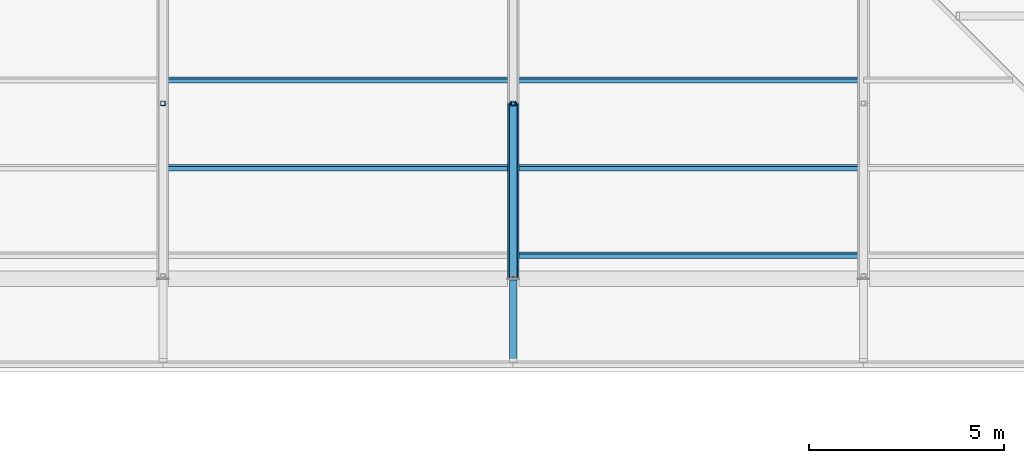
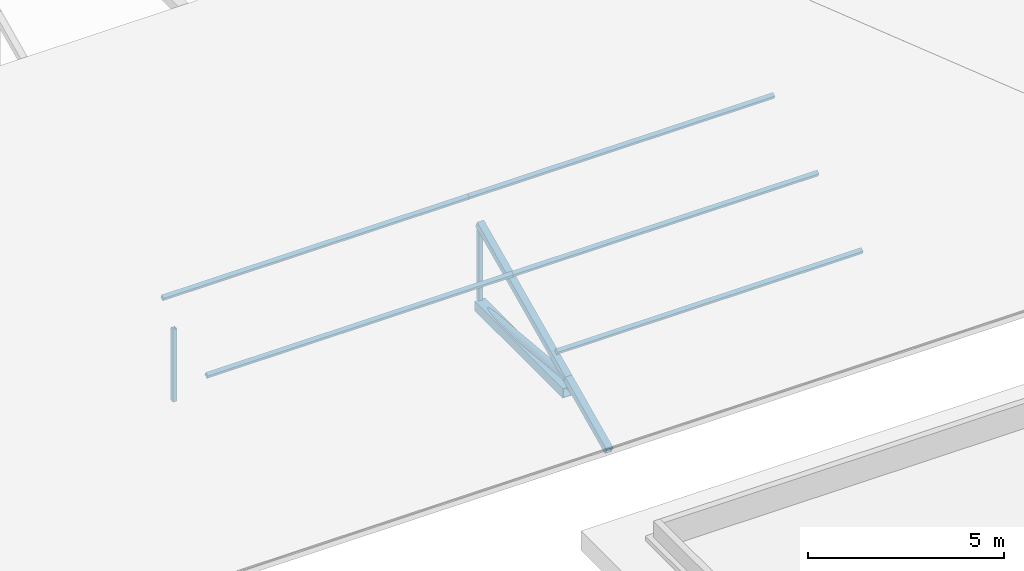
# One storey, part 61 of 154: 11 members.
"""IFC4 building model written with IfcOpenShell, lengths in metres."""

import ifcopenshell
import ifcopenshell.guid

model = None  # the IFC model being written
_history = None  # IfcOwnerHistory: only IFC2X3 demands one
_inside = {}  # id of a spatial element -> (the spatial element, [elements in it])
_under = {}  # id of a project, library or spatial element -> (it, [spatial elements below it])
_declared = {}  # id of a project -> (the project, [libraries it declares])
_typed = {}  # id of a type object -> (the type object, [elements of that type])
_made_of = {}  # id of a material, layer set ... -> (it, [elements and type objects made of it])


def new_model(schema):
    """Start an empty IFC model of exactly this schema.

    Asked for "IFC4X3", IfcOpenShell would pick the latest addendum, in which some entities
    have other attributes; the version numbers below select the first issue.
    IFC2X3 requires an IfcOwnerHistory on every rooted entity: one is made here for all.
    """
    global model, _history
    if schema == "IFC4X3":
        model = ifcopenshell.file(schema_version=(4, 3, 0, 0))
    else:
        model = ifcopenshell.file(schema=schema)
    _inside.clear()
    _under.clear()
    _declared.clear()
    _typed.clear()
    _made_of.clear()
    _history = None
    if model.schema == "IFC2X3":
        org = make("IfcOrganization", Name="unknown")
        user = make(
            "IfcPersonAndOrganization",
            ThePerson=make("IfcPerson", FamilyName="unknown"),
            TheOrganization=org,
        )
        app = make(
            "IfcApplication",
            ApplicationDeveloper=org,
            Version="unknown",
            ApplicationFullName="unknown",
            ApplicationIdentifier="unknown",
        )
        _history = make(
            "IfcOwnerHistory",
            OwningUser=user,
            OwningApplication=app,
            ChangeAction="ADDED",
            CreationDate=0,
        )
    return model


def make(cls, **values):
    """One entity of the class cls with the attributes given. An attribute that is None is left unset."""
    return model.create_entity(
        cls, **{name: value for name, value in values.items() if value is not None}
    )


def rooted(cls, **values):
    """An entity with a GlobalId (a new one), such as an element, a storey or a relation."""
    return make(cls, GlobalId=ifcopenshell.guid.new(), OwnerHistory=_history, **values)


def si_unit(unit_type, name, prefix=None):
    """IfcSIUnit, for example si_unit("LENGTHUNIT", "METRE", prefix="MILLI")."""
    return make("IfcSIUnit", UnitType=unit_type, Prefix=prefix, Name=name)


def assignment(units):
    """IfcUnitAssignment: the units of a project."""
    return None if units is None else make("IfcUnitAssignment", Units=units)


def point(xyz):
    """IfcCartesianPoint."""
    return None if xyz is None else make("IfcCartesianPoint", Coordinates=xyz)


def direction(xyz):
    """IfcDirection."""
    return None if xyz is None else make("IfcDirection", DirectionRatios=xyz)


def frame(location, z_axis=None, x_axis=None):
    """IfcAxis2Placement3D, a coordinate frame: its origin and axes. An axis left out is left unset."""
    return make(
        "IfcAxis2Placement3D",
        Location=point(location),
        Axis=direction(z_axis),
        RefDirection=direction(x_axis),
    )


def frame_2d(location, x_axis=None):
    """IfcAxis2Placement2D, a coordinate frame in the plane: its origin and x axis."""
    return make(
        "IfcAxis2Placement2D", Location=point(location), RefDirection=direction(x_axis)
    )


def origin():
    """The frame at (0, 0, 0) with its axes left unset."""
    return frame((0.0, 0.0, 0.0))


def origin_2d():
    """The frame at (0, 0) in the plane with its x axis left unset."""
    return frame_2d((0.0, 0.0))


def place(relative_to, where):
    """IfcLocalPlacement: puts the frame where relative to a parent placement (None: the world)."""
    return make(
        "IfcLocalPlacement", PlacementRelTo=relative_to, RelativePlacement=where
    )


def context(
    kind, dimensions, precision=None, world=None, true_north=None, identifier=None
):
    """IfcGeometricRepresentationContext, for example the 3D "Model" context."""
    return make(
        "IfcGeometricRepresentationContext",
        ContextIdentifier=identifier,
        ContextType=kind,
        CoordinateSpaceDimension=dimensions,
        Precision=precision,
        WorldCoordinateSystem=world,
        TrueNorth=true_north,
    )


def subcontext(parent, identifier, kind, view, scale=None):
    """IfcGeometricRepresentationSubContext, for example "Body" below "Model"."""
    return make(
        "IfcGeometricRepresentationSubContext",
        ContextIdentifier=identifier,
        ContextType=kind,
        ParentContext=parent,
        TargetScale=scale,
        TargetView=view,
    )


def project(units=None, contexts=None):
    """IfcProject with its units and contexts."""
    return rooted(
        "IfcProject",
        Name="project",
        RepresentationContexts=contexts,
        UnitsInContext=assignment(units),
    )


def spatial(cls, under=None, at=None, **own):
    """A site, building, storey or space (cls), placed at a placement, below another one or the project."""
    s = rooted(cls, ObjectPlacement=at, **own)
    if under is not None:
        _under.setdefault(under.id(), (under, []))[1].append(s)
    return s


def profile(cls, at=None, kind="AREA", **sizes):
    """A parametric profile (cls). Its sizes go by their IFC names, for example OverallWidth=200.0."""
    return make(cls, ProfileType=kind, Position=at, **sizes)


def hollow_rectangle(**sizes):
    """IfcRectangleHollowProfileDef."""
    return profile("IfcRectangleHollowProfileDef", **sizes)


def hollow_circle(**sizes):
    """IfcCircleHollowProfileDef."""
    return profile("IfcCircleHollowProfileDef", **sizes)


def extrude(swept, where, along, depth):
    """IfcExtrudedAreaSolid: the profile swept, set in the frame where, extruded along a direction by depth."""
    return make(
        "IfcExtrudedAreaSolid",
        SweptArea=swept,
        Position=where,
        ExtrudedDirection=direction(along),
        Depth=depth,
    )


def shape(context_of_items, identifier, shape_type, items):
    """IfcShapeRepresentation: the items that make up one representation, for example the "Body"."""
    return make(
        "IfcShapeRepresentation",
        ContextOfItems=context_of_items,
        RepresentationIdentifier=identifier,
        RepresentationType=shape_type,
        Items=items,
    )


def material(Name=None, Category=None):
    """IfcMaterial."""
    return make("IfcMaterial", Name=Name, Category=Category)


def material_profile(
    of_material, cross_section, Name=None, Category=None, Priority=None
):
    """IfcMaterialProfile: a cross section and its material."""
    return make(
        "IfcMaterialProfile",
        Name=Name,
        Material=of_material,
        Profile=cross_section,
        Priority=Priority,
        Category=Category,
    )


def profile_set(profiles, Name=None, composite=None):
    """IfcMaterialProfileSet."""
    return make(
        "IfcMaterialProfileSet",
        Name=Name,
        MaterialProfiles=profiles,
        CompositeProfile=composite,
    )


def made_of(thing, what):
    """Note that an element or type object is made of a material, layer set ...; save() writes the relation."""
    if what is not None:
        _made_of.setdefault(what.id(), (what, []))[1].append(thing)
    return thing


def type_object(cls, material=None, **own):
    """A type object (cls), such as IfcWallType, which elements share."""
    return made_of(rooted(cls, **own), material)


def element(
    cls,
    number,
    at=None,
    inside=None,
    cuts=None,
    type_object=None,
    material=None,
    context=None,
    identifier="Body",
    shape_type=None,
    held_by="IfcProductDefinitionShape",
    body=None,
    shapes=None,
    **own,
):
    """One element of the class cls, such as IfcWall. Its Tag is "e" and its number.

    at: its placement. inside: the storey or other place that contains it. cuts: it is an
    opening in that element (IfcRelVoidsElement). A single representation is given by context,
    identifier, shape_type and body (its items); several are given by shapes. held_by: the class
    of the entity that holds the representations. save() writes the other relations.
    """
    e = rooted(cls, Tag="e%d" % number, ObjectPlacement=at, **own)
    if body is not None:
        shapes = [shape(context, identifier, shape_type, body)]
    if shapes is not None:
        e.Representation = make(held_by, Representations=shapes)
    if inside is not None:
        _inside.setdefault(inside.id(), (inside, []))[1].append(e)
    if cuts is not None:
        rooted(
            "IfcRelVoidsElement", RelatingBuildingElement=cuts, RelatedOpeningElement=e
        )
    if type_object is not None:
        _typed.setdefault(type_object.id(), (type_object, []))[1].append(e)
    return made_of(e, material)


def aggregate(whole, parts):
    """IfcRelAggregates: a whole, such as a stair, and the parts it consists of."""
    return rooted("IfcRelAggregates", RelatingObject=whole, RelatedObjects=parts)


def save(model, path):
    """Write the relations noted so far, then the file.

    IfcRelAggregates (storeys below a building ...), IfcRelContainedInSpatialStructure (elements
    in a storey), IfcRelDefinesByType, IfcRelAssociatesMaterial and IfcRelDeclares: one each for
    every whole, place, type object, material and project.
    """
    for whole, parts in _under.values():
        aggregate(whole, parts)
    for where, things in _inside.values():
        rooted(
            "IfcRelContainedInSpatialStructure",
            RelatedElements=things,
            RelatingStructure=where,
        )
    for kind, things in _typed.values():
        rooted("IfcRelDefinesByType", RelatedObjects=things, RelatingType=kind)
    for what, things in _made_of.values():
        rooted("IfcRelAssociatesMaterial", RelatedObjects=things, RelatingMaterial=what)
    for by, libraries in _declared.values():
        rooted("IfcRelDeclares", RelatingContext=by, RelatedDefinitions=libraries)
    model.write(path)


model = new_model("IFC4")

# Units and contexts
model_context = context("Model", 3, precision=1e-05, world=origin(), true_north=direction((0.0, 1.0)))
body_context = subcontext(model_context, "Body", "Model", "MODEL_VIEW")
ifc_project = project(units=[si_unit("LENGTHUNIT", "METRE"), si_unit("AREAUNIT", "SQUARE_METRE"), si_unit("VOLUMEUNIT", "CUBIC_METRE"), si_unit("PLANEANGLEUNIT", "RADIAN"), si_unit("MASSUNIT", "GRAM", prefix="KILO")], contexts=[model_context])

# Site, building, storey
site_placement = place(None, origin())
site = spatial("IfcSite", under=ifc_project, at=site_placement, CompositionType="ELEMENT")
building_placement = place(site_placement, origin())
building = spatial("IfcBuilding", under=site, at=building_placement, Name="Golden Quay Civic Hall", CompositionType="ELEMENT")
storey_placement = place(building_placement, frame((0.0, 0.0, 14.39990234375)))
storey = spatial("IfcBuildingStorey", under=building, at=storey_placement, Name="L03", CompositionType="ELEMENT", Elevation=14.39990234375)

# Members
ifc_material_1 = material(Name="Steel S355", Category="steel")
ifc_material_profile_1 = material_profile(ifc_material_1, hollow_rectangle(XDim=0.1201171875, YDim=0.1201171875, WallThickness=0.008056640625, at=origin_2d()), Name="SHS 120x120x8")
ifc_profile_set_1 = profile_set([ifc_material_profile_1], Name="Steel S355")
member_type_1 = type_object("IfcMemberType", Name="Steel roof purlin SHS 120x120x8", PredefinedType="PURLIN", material=ifc_profile_set_1)
for number, where, z_axis, x_axis, name in (
    (1, (153.0, 63.60009765625, 0.784423828125), (1.0, 0.0, 0.0), (0.0, 0.906307787037, 0.422618261741), "Purlin south 2-5 L03"),
    (2, (144.0, 65.85009765625, 1.83349609375), (1.0, 0.0, 0.0), (0.0, 0.906307787037, 0.422618261741), "Purlin south 3-4 L03"),
    (3, (153.0, 65.85009765625, 1.83349609375), (1.0, 0.0, 0.0), (0.0, 0.906307787037, 0.422618261741), "Purlin south 3-5 L03"),
    (4, (144.0, 68.10009765625, 2.8828125), (1.0, 0.0, 0.0), (0.0, 0.906307787037, 0.422618261741), "Purlin south 4-4 L03"),
    (5, (153.0, 68.10009765625, 2.8828125), (1.0, 0.0, 0.0), (0.0, 0.906307787037, 0.422618261741), "Purlin south 4-5 L03"),
):
    element("IfcMember", number, at=place(storey_placement, frame(where, z_axis=z_axis, x_axis=x_axis)), inside=storey, type_object=member_type_1, Name=name, PredefinedType="PURLIN", context=body_context, shape_type="SweptSolid", body=[
        extrude(hollow_rectangle(XDim=0.1201171875, YDim=0.1201171875, WallThickness=0.008056640625, at=origin_2d()), origin(), (0.0, 0.0, 1.0), 9.0),
    ])
ifc_material_2 = material(Name="Steel S355", Category="steel")
ifc_material_profile_2 = material_profile(ifc_material_2, hollow_rectangle(XDim=0.300048828125, YDim=0.300048828125, WallThickness=0.01611328125, at=origin_2d()), Name="SHS 300x300x16")
ifc_profile_set_2 = profile_set([ifc_material_profile_2], Name="Steel S355")
member_type_2 = type_object("IfcMemberType", Name="Steel truss bottom chord SHS 300x300x16", PredefinedType="USERDEFINED", material=ifc_profile_set_2)
member_1_placement = place(storey_placement, frame((153.0, 63.0, -0.099853515625), z_axis=(0.0, 1.0, 0.0), x_axis=(-1.0, 0.0, 0.0)))
element("IfcMember", 6, at=member_1_placement, inside=storey, type_object=member_type_2, Name="Truss 153 bottom chord 1 L03", ObjectType="TRUSS BOTTOM CHORD", PredefinedType="USERDEFINED", context=body_context, shape_type="SweptSolid", body=[
    extrude(hollow_rectangle(XDim=0.300048828125, YDim=0.300048828125, WallThickness=0.01611328125, at=origin_2d()), origin(), (0.0, 0.0, 1.0), 4.5),
])
ifc_material_3 = material(Name="Steel S355", Category="steel")
ifc_material_profile_3 = material_profile(ifc_material_3, hollow_circle(Radius=0.109619140625, WallThickness=0.010009765625, at=origin_2d()), Name="CHS 219.1x10")
ifc_profile_set_3 = profile_set([ifc_material_profile_3], Name="Steel S355")
member_type_3 = type_object("IfcMemberType", Name="Steel truss diagonal CHS 219.1x10", PredefinedType="BRACE", material=ifc_profile_set_3)
member_2_placement = place(storey_placement, frame((153.0, 63.0, 0.327880859375), z_axis=(0.0, 0.995512933083, -0.094625578275), x_axis=(-1.0, 0.0, 0.0)))
element("IfcMember", 7, at=member_2_placement, inside=storey, type_object=member_type_3, Name="Truss 153 diagonal 1 L03", PredefinedType="BRACE", context=body_context, shape_type="SweptSolid", body=[
    extrude(hollow_circle(Radius=0.109619140625, WallThickness=0.010009765625, at=origin_2d()), origin(), (0.0, 0.0, 1.0), 4.520263671875),
])
ifc_material_4 = material(Name="Steel S355", Category="steel")
ifc_material_profile_4 = material_profile(ifc_material_4, hollow_rectangle(XDim=0.1201171875, YDim=0.1201171875, WallThickness=0.008056640625, at=origin_2d()), Name="SHS 120x120x8")
ifc_profile_set_4 = profile_set([ifc_material_profile_4], Name="Steel S355")
member_type_4 = type_object("IfcMemberType", Name="Steel truss post SHS 120x120x8", PredefinedType="USERDEFINED", material=ifc_profile_set_4)
for number, where, z_axis, x_axis, name in (
    (8, (144.0, 67.5, 0.050048828125), (0.0, 0.0, 1.0), (1.0, 0.0, 0.0), "Truss 144 post 2 L03"),
    (9, (153.0, 67.5, 0.050048828125), (0.0, 0.0, 1.0), (1.0, 0.0, 0.0), "Truss 153 post 2 L03"),
):
    element("IfcMember", number, at=place(storey_placement, frame(where, z_axis=z_axis, x_axis=x_axis)), inside=storey, type_object=member_type_4, Name=name, ObjectType="TRUSS POST", PredefinedType="USERDEFINED", context=body_context, shape_type="SweptSolid", body=[
        extrude(hollow_rectangle(XDim=0.1201171875, YDim=0.1201171875, WallThickness=0.008056640625, at=origin_2d()), origin(), (0.0, 0.0, 1.0), 2.26611328125),
    ])
ifc_material_5 = material(Name="Steel S355", Category="steel")
ifc_material_profile_5 = material_profile(ifc_material_5, hollow_rectangle(XDim=0.199951171875, YDim=0.199951171875, WallThickness=0.010009765625, at=origin_2d()), Name="SHS 200x200x10")
ifc_profile_set_5 = profile_set([ifc_material_profile_5], Name="Steel S355")
member_type_5 = type_object("IfcMemberType", Name="Steel truss top chord SHS 200x200x10", PredefinedType="USERDEFINED", material=ifc_profile_set_5)
member_3_placement = place(storey_placement, frame((153.0, 60.89990234375, -0.651123046875), z_axis=(0.0, 0.906355341487, 0.42251626591), x_axis=(-1.0, 0.0, 0.0)))
element("IfcMember", 10, at=member_3_placement, inside=storey, type_object=member_type_5, Name="Truss 153 top chord 1 L03", ObjectType="TRUSS TOP CHORD", PredefinedType="USERDEFINED", context=body_context, shape_type="SweptSolid", body=[
    extrude(hollow_rectangle(XDim=0.199951171875, YDim=0.199951171875, WallThickness=0.010009765625, at=origin_2d()), origin(), (0.0, 0.0, 1.0), 2.317138671875),
])
member_4_placement = place(storey_placement, frame((153.0, 63.0, 0.327880859375), z_axis=(0.0, 0.906288628397, 0.422659345144), x_axis=(-1.0, 0.0, 0.0)))
element("IfcMember", 11, at=member_4_placement, inside=storey, type_object=member_type_5, Name="Truss 153 top chord 2 L03", ObjectType="TRUSS TOP CHORD", PredefinedType="USERDEFINED", context=body_context, shape_type="SweptSolid", body=[
    extrude(hollow_rectangle(XDim=0.199951171875, YDim=0.199951171875, WallThickness=0.010009765625, at=origin_2d()), origin(), (0.0, 0.0, 1.0), 4.96533203125),
])

save(model, "model.ifc")
